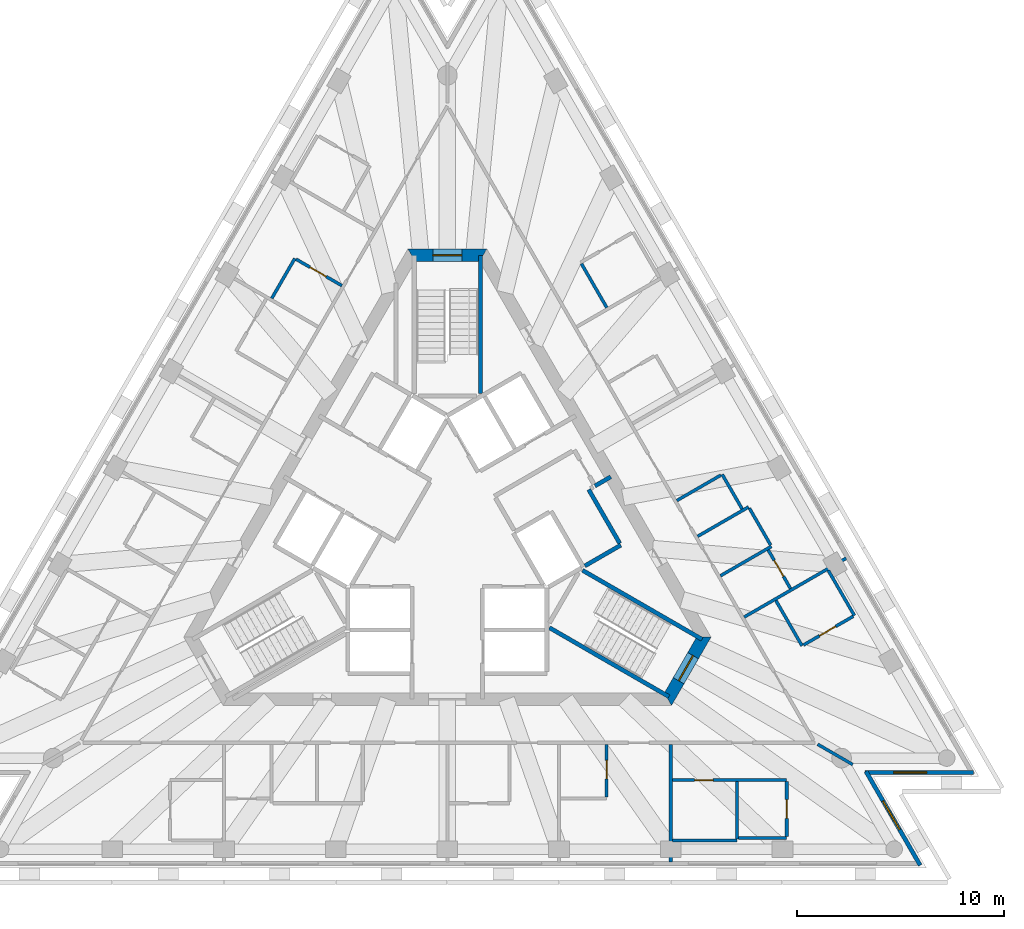
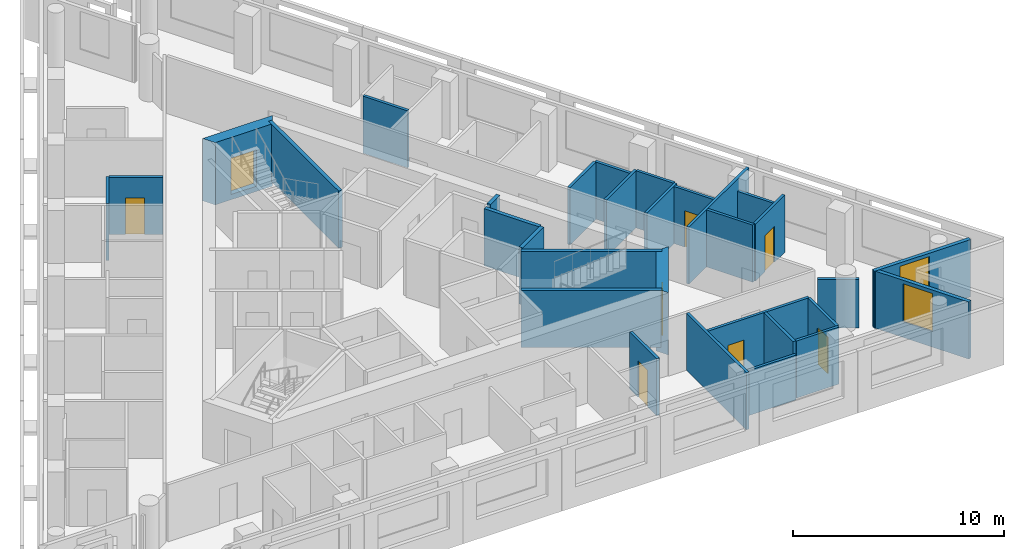
# One storey, part 6 of 10: 31 walls, 8 doors, 2 windows, 10 openings.
"""IFC4 building model written with IfcOpenShell, lengths in metres."""

from ifc_helpers import new_model, si_unit, direction, frame, frame_2d, origin, place, context, subcontext, project, spatial, polyline, rectangle, outline, extrude, material, layer, layer_set, layer_usage, type_object, element, fill, save


model = new_model("IFC4")

# Units and contexts
model_context = context("Model", 3, precision=1e-05, world=origin(), true_north=direction((0.0, 1.0)))
body_context = subcontext(model_context, "Body", "Model", "MODEL_VIEW")
ifc_project = project(units=[si_unit("LENGTHUNIT", "METRE"), si_unit("AREAUNIT", "SQUARE_METRE"), si_unit("VOLUMEUNIT", "CUBIC_METRE"), si_unit("PLANEANGLEUNIT", "RADIAN"), si_unit("MASSUNIT", "GRAM", prefix="KILO")], contexts=[model_context])

# Site, building, storey
site_placement = place(None, origin())
site = spatial("IfcSite", under=ifc_project, at=site_placement, CompositionType="ELEMENT")
building_placement = place(site_placement, origin())
building = spatial("IfcBuilding", under=site, at=building_placement, Name="Triada Interchange Tower", CompositionType="ELEMENT")
storey_placement = place(building_placement, frame((0.0, 0.0, 297.10009765625)))
storey = spatial("IfcBuildingStorey", under=building, at=storey_placement, Name="L70", CompositionType="ELEMENT", Elevation=297.10009765625)

# Walls
ifc_material_1 = material(Name="Concrete C30/37", Category="concrete")
ifc_layer_1 = layer(ifc_material_1, 0.199951171875)
ifc_layer_set_1 = layer_set([ifc_layer_1], Name="CORE WALL 200 EI 120")
wall_type_1 = type_object("IfcWallType", Name="CORE WALL 200 EI 120", PredefinedType="SOLIDWALL", material=ifc_layer_set_1)
wall_1_placement = place(storey_placement, frame((7.12890625, 2.153076171875, 0.0), z_axis=(0.0, 0.0, 1.0), x_axis=(0.866083962871, 0.499898558967, 0.0)))
element("IfcWall", 1, at=wall_1_placement, inside=storey, type_object=wall_type_1, Name="Wall L68 87", PredefinedType="SOLIDWALL", context=body_context, shape_type="SweptSolid", body=[
    extrude(rectangle(XDim=0.880126953125, YDim=0.199951171875, at=frame_2d((0.43994140625, 0.0))), origin(), (0.0, 0.0, 1.0), 3.2998046875),
])
ifc_layer_2 = layer(ifc_material_1, 0.199951171875)
ifc_layer_set_2 = layer_set([ifc_layer_2], Name="CORE WALL 200 EI 90")
wall_type_2 = type_object("IfcWallType", Name="CORE WALL 200 EI 90", PredefinedType="SOLIDWALL", material=ifc_layer_set_2)
wall_2_placement = place(storey_placement, frame((6.64208984375, -1.7080078125, 0.0), z_axis=(0.0, 0.0, 1.0), x_axis=(0.866043441391, 0.499968756647, 0.0)))
element("IfcWall", 2, at=wall_2_placement, inside=storey, type_object=wall_type_2, Name="Wall L68 109", PredefinedType="SOLIDWALL", context=body_context, shape_type="SweptSolid", body=[
    extrude(rectangle(XDim=2.002197265625, YDim=0.199951171875, at=frame_2d((1.0009765625, 0.0))), origin(), (0.0, 0.0, 1.0), 3.2998046875),
])
wall_3_placement = place(storey_placement, frame((6.825927734375, 1.97802734375, 0.0), z_axis=(0.0, 0.0, 1.0), x_axis=(0.499990139034, -0.866031096941, 0.0)))
element("IfcWall", 3, at=wall_3_placement, inside=storey, type_object=wall_type_2, Name="Wall L68 110", PredefinedType="SOLIDWALL", context=body_context, shape_type="SweptSolid", body=[
    extrude(rectangle(XDim=3.0, YDim=0.199951171875, at=frame_2d((1.5, 0.0))), origin(), (0.0, 0.0, 1.0), 3.2998046875),
])
ifc_layer_3 = layer(ifc_material_1, 0.199951171875)
ifc_layer_set_3 = layer_set([ifc_layer_3], Name="CORE WALL 200 REI 240")
wall_type_3 = type_object("IfcWallType", Name="CORE WALL 200 REI 240", PredefinedType="SOLIDWALL", material=ifc_layer_set_3)
for number, where, z_axis, x_axis, name in (
    (4, (1.60009765625, 6.614990234375, 0.0), (0.0, 0.0, 1.0), (0.0, 1.0, 0.0), "Wall L68 115"),
    (5, (4.928955078125, -4.693115234375, 0.0), (0.0, 0.0, 1.0), (0.866005022404, -0.500035299925, 0.0), "Wall L68 118"),
):
    element("IfcWall", number, at=place(storey_placement, frame(where, z_axis=z_axis, x_axis=x_axis)), inside=storey, type_object=wall_type_3, Name=name, PredefinedType="SOLIDWALL", context=body_context, shape_type="SweptSolid", body=[
        extrude(rectangle(XDim=6.6650390625, YDim=0.199951171875, at=frame_2d((3.33251953125, 0.0))), origin(), (0.0, 0.0, 1.0), 3.2998046875),
    ])
wall_4_placement = place(storey_placement, frame((6.529052734375, -1.922119140625, 0.0), z_axis=(0.0, 0.0, 1.0), x_axis=(0.866068467981, -0.499925403204, 0.0)))
element("IfcWall", 6, at=wall_4_placement, inside=storey, type_object=wall_type_3, Name="Wall L68 120", PredefinedType="SOLIDWALL", context=body_context, shape_type="SweptSolid", body=[
    extrude(rectangle(XDim=6.66455078125, YDim=0.199951171875, at=frame_2d((3.332275390625, 0.0))), origin(), (0.0, 0.0, 1.0), 3.2998046875),
])

# Wall, opening, door
ifc_material_2 = material(Name="Concrete C40/50", Category="concrete")
ifc_layer_4 = layer(ifc_material_2, 0.60009765625)
ifc_layer_set_4 = layer_set([ifc_layer_4], Name="Core wall D 600")
wall_type_4 = type_object("IfcWallType", Name="Core wall D 600", PredefinedType="SHEAR", material=ifc_layer_set_4)
wall_5_placement = place(storey_placement, frame((1.73193359375, 13.300048828125, -0.300048828125), z_axis=(0.0, 0.0, 1.0), x_axis=(-1.0, 0.0, 0.0)))
wall_5 = element("IfcWall", 7, at=wall_5_placement, inside=storey, type_object=wall_type_4, Name="Core wall WD01 L70", PredefinedType="SHEAR", context=body_context, shape_type="SweptSolid", body=[
    extrude(outline(polyline([(-0.173095703125, -0.300048828125), (1.73193359375, -0.300048828125), (3.636962890625, -0.300048828125), (3.291015625, 0.300048828125), (1.73193359375, 0.300048828125), (0.173095703125, 0.300048828125), (-0.173095703125, -0.300048828125)])), origin(), (0.0, 0.0, 1.0), 3.599853515625),
])
opening_1_placement = place(wall_5_placement, frame((1.031982421875, 0.0, 0.300048828125)))
opening_1 = element("IfcOpeningElement", 8, at=opening_1_placement, cuts=wall_5, Name="Opening D68-48", PredefinedType="OPENING", context=body_context, shape_type="SweptSolid", body=[
    extrude(rectangle(XDim=1.39990234375, YDim=2.10009765625, at=frame_2d((0.699951171875, 1.050048828125))), frame((0.0, 0.31005859375, 0.0), z_axis=(0.0, -1.0, 0.0), x_axis=(1.0, 0.0, 0.0)), (0.0, 0.0, 1.0), 0.6201171875),
])
ifc_material_3 = material(Name="Steel S235 door leaf", Category="steel")
door_type_1 = type_object("IfcDoorType", Name="STAIR DOOR 1400 EI2 90-C5S200", OperationType="DOUBLE_DOOR_SINGLE_SWING", PredefinedType="DOOR", material=ifc_material_3)
door_1_placement = place(opening_1_placement, origin())
door_1 = element("IfcDoor", 9, at=door_1_placement, inside=storey, type_object=door_type_1, Name="Door D68-48 L70", OperationType="DOUBLE_DOOR_SINGLE_SWING", OverallHeight=2.10009765625, OverallWidth=1.39990234375, PredefinedType="DOOR", context=body_context, shape_type="SweptSolid", body=[
    extrude(rectangle(XDim=1.39990234375, YDim=2.10009765625, at=frame_2d((0.699951171875, 1.050048828125))), frame((0.0, 0.02490234375, 0.0), z_axis=(0.0, -1.0, 0.0), x_axis=(1.0, 0.0, 0.0)), (0.0, 0.0, 1.0), 0.050048828125),
])
fill(opening_1, door_1)

wall_6_placement = place(storey_placement, frame((10.652099609375, -8.14990234375, -0.300048828125), z_axis=(0.0, 0.0, 1.0), x_axis=(0.49997462182, 0.866040055388, 0.0)))
wall_6 = element("IfcWall", 10, at=wall_6_placement, inside=storey, type_object=wall_type_4, Name="Core wall WD05 L70", PredefinedType="SHEAR", context=body_context, shape_type="SweptSolid", body=[
    extrude(outline(polyline([(-0.173095703125, -0.300048828125), (1.732421875, -0.300537109375), (3.637939453125, -0.301025390625), (3.291015625, 0.300048828125), (1.73193359375, 0.300048828125), (0.173095703125, 0.300048828125), (-0.173095703125, -0.300048828125)])), origin(), (0.0, 0.0, 1.0), 3.599853515625),
])
opening_2_placement = place(wall_6_placement, frame((1.031982421875, 0.0, 0.300048828125)))
opening_2 = element("IfcOpeningElement", 11, at=opening_2_placement, cuts=wall_6, Name="Opening D68-50", PredefinedType="OPENING", context=body_context, shape_type="SweptSolid", body=[
    extrude(rectangle(XDim=1.39990234375, YDim=2.10009765625, at=frame_2d((0.699951171875, 1.050048828125))), frame((0.0, 0.31005859375, 0.0), z_axis=(0.0, -1.0, 0.0), x_axis=(1.0, 0.0, 0.0)), (0.0, 0.0, 1.0), 0.62109375),
])
door_2_placement = place(opening_2_placement, origin())
door_2 = element("IfcDoor", 12, at=door_2_placement, inside=storey, type_object=door_type_1, Name="Door D68-50 L70", OperationType="DOUBLE_DOOR_SINGLE_SWING", OverallHeight=2.10009765625, OverallWidth=1.39990234375, PredefinedType="DOOR", context=body_context, shape_type="SweptSolid", body=[
    extrude(rectangle(XDim=1.39990234375, YDim=2.10009765625, at=frame_2d((0.699951171875, 1.050048828125))), frame((0.0, 0.02490234375, 0.0), z_axis=(0.0, -1.0, 0.0), x_axis=(1.0, 0.0, 0.0)), (0.0, 0.0, 1.0), 0.050048828125),
])
fill(opening_2, door_2)

# Wall, opening, window
ifc_material_4 = material(Name="Cement board")
ifc_layer_5 = layer(ifc_material_4, 0.02001953125, Name="Cement board cladding")
ifc_material_5 = material(Name="Sheathing board")
ifc_layer_6 = layer(ifc_material_5, 0.014892578125, Name="Sheathing board")
ifc_material_6 = material(Name="Mineral wool")
ifc_layer_7 = layer(ifc_material_6, 0.14990234375, Name="Mineral wool between steel studs")
ifc_material_7 = material(Name="Gypsum board")
ifc_layer_8 = layer(ifc_material_7, 0.014892578125, Name="Plasterboard lining")
ifc_layer_set_5 = layer_set([ifc_layer_5, ifc_layer_6, ifc_layer_7, ifc_layer_8], Name="External wall 200")
ifc_layer_usage = layer_usage(ifc_layer_set_5, "AXIS2", "POSITIVE", -0.10009765625)
wall_type_5 = type_object("IfcWallType", Name="External wall 200", PredefinedType="ELEMENTEDWALL", material=ifc_layer_set_5)
wall_7_placement = place(storey_placement, frame((22.8349609375, -16.16796875, 0.0), z_axis=(0.0, 0.0, 1.0), x_axis=(-0.499933584342, 0.866063745487, 0.0)))
wall_7 = element("IfcWall", 13, at=wall_7_placement, inside=storey, type_object=wall_type_5, material=ifc_layer_usage, Name="External wall L70 SE-1", PredefinedType="ELEMENTEDWALL", context=body_context, shape_type="SweptSolid", body=[
    extrude(rectangle(XDim=5.238525390625, YDim=0.199951171875, at=frame_2d((2.619140625, 0.0))), origin(), (0.0, 0.0, 1.0), 3.2998046875),
])
opening_3_placement = place(wall_7_placement, frame((1.989990234375, 0.0, 0.89990234375)))
opening_3 = element("IfcOpeningElement", 14, at=opening_3_placement, cuts=wall_7, Name="Opening WD19", PredefinedType="OPENING", context=body_context, shape_type="SweptSolid", body=[
    extrude(rectangle(XDim=1.60009765625, YDim=2.199951171875, at=frame_2d((0.800048828125, 1.10009765625))), frame((0.0, 0.10986328125, 0.0), z_axis=(0.0, -1.0, 0.0), x_axis=(1.0, 0.0, 0.0)), (0.0, 0.0, 1.0), 0.219970703125),
])
ifc_material_8 = material(Name="Double glazed aluminium window", Category="aluminium")
window_type = type_object("IfcWindowType", Name="Ribbon window D pocket", PartitioningType="SINGLE_PANEL", PredefinedType="WINDOW", material=ifc_material_8)
window_1_placement = place(opening_3_placement, origin())
window_1 = element("IfcWindow", 15, at=window_1_placement, inside=storey, type_object=window_type, Name="Window L70 SE-1 1", OverallHeight=2.199951171875, OverallWidth=1.60009765625, PartitioningType="SINGLE_PANEL", PredefinedType="WINDOW", context=body_context, shape_type="SweptSolid", body=[
    extrude(rectangle(XDim=1.60009765625, YDim=2.199951171875, at=frame_2d((0.800048828125, 1.10009765625))), frame((0.0, 0.030029296875, 0.0), z_axis=(0.0, -1.0, 0.0), x_axis=(1.0, 0.0, 0.0)), (0.0, 0.0, 1.0), 0.06005859375),
])
fill(opening_3, window_1)

wall_8_placement = place(storey_placement, frame((20.160888671875, -11.69189453125, 0.0), z_axis=(0.0, 0.0, 1.0), x_axis=(1.0, 0.0, 0.0)))
wall_8 = element("IfcWall", 16, at=wall_8_placement, inside=storey, type_object=wall_type_5, material=ifc_layer_usage, Name="External wall L70 SE-2", PredefinedType="ELEMENTEDWALL", context=body_context, shape_type="SweptSolid", body=[
    extrude(rectangle(XDim=5.239013671875, YDim=0.199951171875, at=frame_2d((2.61962890625, 0.0))), origin(), (0.0, 0.0, 1.0), 3.2998046875),
])
opening_4_placement = place(wall_8_placement, frame((1.389892578125, 0.0, 0.89990234375)))
opening_4 = element("IfcOpeningElement", 17, at=opening_4_placement, cuts=wall_8, Name="Opening WD20", PredefinedType="OPENING", context=body_context, shape_type="SweptSolid", body=[
    extrude(rectangle(XDim=1.60009765625, YDim=2.199951171875, at=frame_2d((0.800048828125, 1.10009765625))), frame((0.0, 0.10986328125, 0.0), z_axis=(0.0, -1.0, 0.0), x_axis=(1.0, 0.0, 0.0)), (0.0, 0.0, 1.0), 0.219970703125),
])
window_2_placement = place(opening_4_placement, origin())
window_2 = element("IfcWindow", 18, at=window_2_placement, inside=storey, type_object=window_type, Name="Window L70 SE-2 1", OverallHeight=2.199951171875, OverallWidth=1.60009765625, PartitioningType="SINGLE_PANEL", PredefinedType="WINDOW", context=body_context, shape_type="SweptSolid", body=[
    extrude(rectangle(XDim=1.60009765625, YDim=2.199951171875, at=frame_2d((0.800048828125, 1.10009765625))), frame((0.0, 0.030029296875, 0.0), z_axis=(0.0, -1.0, 0.0), x_axis=(1.0, 0.0, 0.0)), (0.0, 0.0, 1.0), 0.06005859375),
])
fill(opening_4, window_2)

# Walls
ifc_material_9 = material(Name="Gypsum board partition")
ifc_layer_9 = layer(ifc_material_9, 0.14990234375)
ifc_layer_set_6 = layer_set([ifc_layer_9], Name="PARTITION 150 EI 180")
wall_type_6 = type_object("IfcWallType", Name="PARTITION 150 EI 180", PredefinedType="PARTITIONING", material=ifc_layer_set_6)
wall_9_placement = place(storey_placement, frame((17.883056640625, -10.324951171875, 0.0), z_axis=(0.0, 0.0, 1.0), x_axis=(0.865973311606, -0.500090215447, 0.0)))
element("IfcWall", 19, at=wall_9_placement, inside=storey, type_object=wall_type_6, Name="Wall L68 8", PredefinedType="PARTITIONING", context=body_context, shape_type="SweptSolid", body=[
    extrude(rectangle(XDim=1.953857421875, YDim=0.14990234375, at=frame_2d((0.97705078125, 0.0))), origin(), (0.0, 0.0, 1.0), 2.7998046875),
])
wall_10_placement = place(storey_placement, frame((10.7890625, -16.010009765625, 0.0), z_axis=(0.0, 0.0, 1.0), x_axis=(0.0, 1.0, 0.0)))
element("IfcWall", 20, at=wall_10_placement, inside=storey, type_object=wall_type_6, Name="Wall L68 21", PredefinedType="PARTITIONING", context=body_context, shape_type="SweptSolid", body=[
    extrude(rectangle(XDim=5.68505859375, YDim=0.14990234375, at=frame_2d((2.842529296875, 0.0))), origin(), (0.0, 0.0, 1.0), 3.2998046875),
])
wall_11_placement = place(storey_placement, frame((13.27294921875, 2.7109375, 0.0), z_axis=(0.0, 0.0, 1.0), x_axis=(0.499671230855, -0.86621513555, 0.0)))
element("IfcWall", 21, at=wall_11_placement, inside=storey, type_object=wall_type_6, Name="Wall L68 22", PredefinedType="PARTITIONING", context=body_context, shape_type="SweptSolid", body=[
    extrude(rectangle(XDim=1.925537109375, YDim=0.14990234375, at=frame_2d((0.962890625, 0.0))), origin(), (0.0, 0.0, 1.0), 3.2998046875),
])
wall_12_placement = place(storey_placement, frame((11.0859375, 1.447998046875, 0.0), z_axis=(0.0, 0.0, 1.0), x_axis=(0.8660395779, 0.499975448907, 0.0)))
element("IfcWall", 22, at=wall_12_placement, inside=storey, type_object=wall_type_6, Name="Wall L68 23", PredefinedType="PARTITIONING", context=body_context, shape_type="SweptSolid", body=[
    extrude(rectangle(XDim=2.4501953125, YDim=0.14990234375, at=frame_2d((1.22509765625, 0.0))), origin(), (0.0, 0.0, 1.0), 3.2998046875),
])
wall_13_placement = place(storey_placement, frame((12.0859375, -0.283935546875, 0.0), z_axis=(0.0, 0.0, 1.0), x_axis=(0.865995540999, 0.500051720295, 0.0)))
element("IfcWall", 23, at=wall_13_placement, inside=storey, type_object=wall_type_6, Name="Wall L68 24", PredefinedType="PARTITIONING", context=body_context, shape_type="SweptSolid", body=[
    extrude(rectangle(XDim=2.845458984375, YDim=0.14990234375, at=frame_2d((1.4228515625, 0.0))), origin(), (0.0, 0.0, 1.0), 3.2998046875),
])
wall_14_placement = place(storey_placement, frame((13.18603515625, -2.18896484375, 0.0), z_axis=(0.0, 0.0, 1.0), x_axis=(0.866122712398, 0.499831418649, 0.0)))
element("IfcWall", 24, at=wall_14_placement, inside=storey, type_object=wall_type_6, Name="Wall L68 25", PredefinedType="PARTITIONING", context=body_context, shape_type="SweptSolid", body=[
    extrude(rectangle(XDim=2.8447265625, YDim=0.14990234375, at=frame_2d((1.42236328125, 0.0))), origin(), (0.0, 0.0, 1.0), 3.2998046875),
])
wall_15_placement = place(storey_placement, frame((14.3359375, -4.180908203125, 0.0), z_axis=(0.0, 0.0, 1.0), x_axis=(0.86606758311, 0.499926936147, 0.0)))
element("IfcWall", 25, at=wall_15_placement, inside=storey, type_object=wall_type_6, Name="Wall L68 26", PredefinedType="PARTITIONING", context=body_context, shape_type="SweptSolid", body=[
    extrude(rectangle(XDim=5.684326171875, YDim=0.14990234375, at=frame_2d((2.84228515625, 0.0))), origin(), (0.0, 0.0, 1.0), 3.2998046875),
])
wall_16_placement = place(storey_placement, frame((14.587890625, 1.073974609375, 0.0), z_axis=(0.0, 0.0, 1.0), x_axis=(0.499942325911, -0.866058699375, 0.0)))
element("IfcWall", 26, at=wall_16_placement, inside=storey, type_object=wall_type_6, Name="Wall L68 27", PredefinedType="PARTITIONING", context=body_context, shape_type="SweptSolid", body=[
    extrude(rectangle(XDim=2.050537109375, YDim=0.14990234375, at=frame_2d((1.025390625, 0.0))), origin(), (0.0, 0.0, 1.0), 3.2998046875),
])
ifc_layer_10 = layer(ifc_material_9, 0.14990234375)
ifc_layer_set_7 = layer_set([ifc_layer_10], Name="PARTITION 150 EI 90")
wall_type_7 = type_object("IfcWallType", Name="PARTITION 150 EI 90", PredefinedType="PARTITIONING", material=ifc_layer_set_7)
wall_17_placement = place(storey_placement, frame((-8.47998046875, 11.2119140625, 0.0), z_axis=(0.0, 0.0, 1.0), x_axis=(0.499833278392, 0.866121639155, 0.0)))
element("IfcWall", 27, at=wall_17_placement, inside=storey, type_object=wall_type_7, Name="Wall L68 39", PredefinedType="PARTITIONING", context=body_context, shape_type="SweptSolid", body=[
    extrude(rectangle(XDim=2.224853515625, YDim=0.14990234375, at=frame_2d((1.1123046875, 0.0))), origin(), (0.0, 0.0, 1.0), 3.2998046875),
])

# Wall, opening, door
wall_18_placement = place(storey_placement, frame((10.864013671875, -12.050048828125, 0.0), z_axis=(0.0, 0.0, 1.0), x_axis=(1.0, 0.0, 0.0)))
wall_18 = element("IfcWall", 28, at=wall_18_placement, inside=storey, type_object=wall_type_7, Name="Wall L68 42", PredefinedType="PARTITIONING", context=body_context, shape_type="SweptSolid", body=[
    extrude(rectangle(XDim=5.52490234375, YDim=0.14990234375, at=frame_2d((2.762451171875, 0.0))), origin(), (0.0, 0.0, 1.0), 3.2998046875),
])
opening_5_placement = place(wall_18_placement, frame((1.074951171875, 0.0, 0.0)))
opening_5 = element("IfcOpeningElement", 29, at=opening_5_placement, cuts=wall_18, Name="Opening D68-22", PredefinedType="OPENING", context=body_context, shape_type="SweptSolid", body=[
    extrude(rectangle(XDim=0.89990234375, YDim=2.10009765625, at=frame_2d((0.449951171875, 1.050048828125))), frame((0.0, 0.0849609375, 0.0), z_axis=(0.0, -1.0, 0.0), x_axis=(1.0, 0.0, 0.0)), (0.0, 0.0, 1.0), 0.169921875),
])
door_type_2 = type_object("IfcDoorType", Name="ROOM DOOR 900 EI2 45-C5S200", OperationType="NOTDEFINED", PredefinedType="DOOR", material=ifc_material_3)
door_3_placement = place(opening_5_placement, origin())
door_3 = element("IfcDoor", 30, at=door_3_placement, inside=storey, type_object=door_type_2, Name="Door D68-22 L70", OperationType="SINGLE_SWING_RIGHT", OverallHeight=2.10009765625, OverallWidth=0.89990234375, PredefinedType="DOOR", context=body_context, shape_type="SweptSolid", body=[
    extrude(rectangle(XDim=0.89990234375, YDim=2.10009765625, at=frame_2d((0.449951171875, 1.050048828125))), frame((0.0, 0.02490234375, 0.0), z_axis=(0.0, -1.0, 0.0), x_axis=(1.0, 0.0, 0.0)), (0.0, 0.0, 1.0), 0.050048828125),
])
fill(opening_5, door_3)

# Wall
wall_19_placement = place(storey_placement, frame((10.864013671875, -14.969970703125, 0.0), z_axis=(0.0, 0.0, 1.0), x_axis=(1.0, 0.0, 0.0)))
element("IfcWall", 31, at=wall_19_placement, inside=storey, type_object=wall_type_7, Name="Wall L68 45", PredefinedType="PARTITIONING", context=body_context, shape_type="SweptSolid", body=[
    extrude(rectangle(XDim=3.125, YDim=0.14990234375, at=frame_2d((1.5625, 0.0))), origin(), (0.0, 0.0, 1.0), 2.599853515625),
])

# Wall, opening, door
wall_20_placement = place(storey_placement, frame((7.694091796875, -12.875, 0.0), z_axis=(0.0, 0.0, 1.0), x_axis=(0.0, 1.0, 0.0)))
wall_20 = element("IfcWall", 32, at=wall_20_placement, inside=storey, type_object=wall_type_7, Name="Wall L68 52", PredefinedType="PARTITIONING", context=body_context, shape_type="SweptSolid", body=[
    extrude(rectangle(XDim=2.550048828125, YDim=0.14990234375, at=frame_2d((1.27490234375, 0.0))), origin(), (0.0, 0.0, 1.0), 3.2998046875),
])
opening_6_placement = place(wall_20_placement, frame((0.875, 0.0, 0.0)))
opening_6 = element("IfcOpeningElement", 33, at=opening_6_placement, cuts=wall_20, Name="Opening D68-20", PredefinedType="OPENING", context=body_context, shape_type="SweptSolid", body=[
    extrude(rectangle(XDim=0.89990234375, YDim=2.10009765625, at=frame_2d((0.449951171875, 1.050048828125))), frame((0.0, 0.0849609375, 0.0), z_axis=(0.0, -1.0, 0.0), x_axis=(1.0, 0.0, 0.0)), (0.0, 0.0, 1.0), 0.169921875),
])
door_4_placement = place(opening_6_placement, origin())
door_4 = element("IfcDoor", 34, at=door_4_placement, inside=storey, type_object=door_type_2, Name="Door D68-20 L70", OperationType="SINGLE_SWING_RIGHT", OverallHeight=2.10009765625, OverallWidth=0.89990234375, PredefinedType="DOOR", context=body_context, shape_type="SweptSolid", body=[
    extrude(rectangle(XDim=0.89990234375, YDim=2.10009765625, at=frame_2d((0.449951171875, 1.050048828125))), frame((0.0, 0.02490234375, 0.0), z_axis=(0.0, -1.0, 0.0), x_axis=(1.0, 0.0, 0.0)), (0.0, 0.0, 1.0), 0.050048828125),
])
fill(opening_6, door_4)

wall_21_placement = place(storey_placement, frame((15.4970703125, -0.94189453125, 0.0), z_axis=(0.0, 0.0, 1.0), x_axis=(0.499961633463, -0.866047553582, 0.0)))
wall_21 = element("IfcWall", 35, at=wall_21_placement, inside=storey, type_object=wall_type_7, Name="Wall L68 54", PredefinedType="PARTITIONING", context=body_context, shape_type="SweptSolid", body=[
    extrude(rectangle(XDim=2.150146484375, YDim=0.14990234375, at=frame_2d((1.0751953125, 0.0))), origin(), (0.0, 0.0, 1.0), 3.2998046875),
])
opening_7_placement = place(wall_21_placement, frame((0.574951171875, 0.0, 0.0)))
opening_7 = element("IfcOpeningElement", 36, at=opening_7_placement, cuts=wall_21, Name="Opening D68-27", PredefinedType="OPENING", context=body_context, shape_type="SweptSolid", body=[
    extrude(rectangle(XDim=0.89990234375, YDim=2.10009765625, at=frame_2d((0.449951171875, 1.050048828125))), frame((0.0, 0.0849609375, 0.0), z_axis=(0.0, -1.0, 0.0), x_axis=(1.0, 0.0, 0.0)), (0.0, 0.0, 1.0), 0.169921875),
])
door_5_placement = place(opening_7_placement, origin())
door_5 = element("IfcDoor", 37, at=door_5_placement, inside=storey, type_object=door_type_2, Name="Door D68-27 L70", OperationType="SINGLE_SWING_LEFT", OverallHeight=2.10009765625, OverallWidth=0.89990234375, PredefinedType="DOOR", context=body_context, shape_type="SweptSolid", body=[
    extrude(rectangle(XDim=0.89990234375, YDim=2.10009765625, at=frame_2d((0.449951171875, 1.050048828125))), frame((0.0, 0.02490234375, 0.0), z_axis=(0.0, -1.0, 0.0), x_axis=(1.0, 0.0, 0.0)), (0.0, 0.0, 1.0), 0.050048828125),
])
fill(opening_7, door_5)

# Walls
wall_22_placement = place(storey_placement, frame((18.39599609375, -1.924072265625, 0.0), z_axis=(0.0, 0.0, 1.0), x_axis=(0.500246986138, -0.865882759304, 0.0)))
element("IfcWall", 38, at=wall_22_placement, inside=storey, type_object=wall_type_7, Name="Wall L68 57", PredefinedType="PARTITIONING", context=body_context, shape_type="SweptSolid", body=[
    extrude(rectangle(XDim=2.524658203125, YDim=0.14990234375, at=frame_2d((1.26220703125, 0.0))), origin(), (0.0, 0.0, 1.0), 2.599853515625),
])
wall_23_placement = place(storey_placement, frame((6.47607421875, 12.884033203125, 0.0), z_axis=(0.0, 0.0, 1.0), x_axis=(0.499900713578, -0.866082719239, 0.0)))
element("IfcWall", 39, at=wall_23_placement, inside=storey, type_object=wall_type_7, Name="Wall L68 59", PredefinedType="PARTITIONING", context=body_context, shape_type="SweptSolid", body=[
    extrude(rectangle(XDim=2.4501953125, YDim=0.14990234375, at=frame_2d((1.22509765625, 0.0))), origin(), (0.0, 0.0, 1.0), 3.2998046875),
])
wall_24_placement = place(storey_placement, frame((15.867919921875, -3.384033203125, 0.0), z_axis=(0.0, 0.0, 1.0), x_axis=(0.499956887143, -0.866050293573, 0.0)))
element("IfcWall", 40, at=wall_24_placement, inside=storey, type_object=wall_type_7, Name="Wall L68 60", PredefinedType="PARTITIONING", context=body_context, shape_type="SweptSolid", body=[
    extrude(rectangle(XDim=2.524169921875, YDim=0.14990234375, at=frame_2d((1.26220703125, 0.0))), origin(), (0.0, 0.0, 1.0), 3.2998046875),
])
wall_25_placement = place(storey_placement, frame((13.989013671875, -14.89501953125, 0.0), z_axis=(0.0, 0.0, 1.0), x_axis=(0.0, 1.0, 0.0)))
element("IfcWall", 41, at=wall_25_placement, inside=storey, type_object=wall_type_7, Name="Wall L68 61", PredefinedType="PARTITIONING", context=body_context, shape_type="SweptSolid", body=[
    extrude(rectangle(XDim=2.77001953125, YDim=0.14990234375, at=frame_2d((1.385009765625, 0.0))), origin(), (0.0, 0.0, 1.0), 3.2998046875),
])
wall_26_placement = place(storey_placement, frame((14.06396484375, -14.85009765625, 0.0), z_axis=(0.0, 0.0, 1.0), x_axis=(1.0, 0.0, 0.0)))
element("IfcWall", 42, at=wall_26_placement, inside=storey, type_object=wall_type_7, Name="Wall L68 62", PredefinedType="PARTITIONING", context=body_context, shape_type="SweptSolid", body=[
    extrude(rectangle(XDim=2.324951171875, YDim=0.14990234375, at=frame_2d((1.16259765625, 0.0))), origin(), (0.0, 0.0, 1.0), 3.2998046875),
])

# Wall, opening, door
wall_27_placement = place(storey_placement, frame((16.388916015625, -14.77490234375, 0.0), z_axis=(0.0, 0.0, 1.0), x_axis=(0.0, 1.0, 0.0)))
wall_27 = element("IfcWall", 43, at=wall_27_placement, inside=storey, type_object=wall_type_7, Name="Wall L68 63", PredefinedType="PARTITIONING", context=body_context, shape_type="SweptSolid", body=[
    extrude(rectangle(XDim=2.64990234375, YDim=0.14990234375, at=frame_2d((1.324951171875, 0.0))), origin(), (0.0, 0.0, 1.0), 3.2998046875),
])
opening_8_placement = place(wall_27_placement, frame((0.875, 0.0, 0.0)))
opening_8 = element("IfcOpeningElement", 44, at=opening_8_placement, cuts=wall_27, Name="Opening D68-23", PredefinedType="OPENING", context=body_context, shape_type="SweptSolid", body=[
    extrude(rectangle(XDim=0.89990234375, YDim=2.10009765625, at=frame_2d((0.449951171875, 1.050048828125))), frame((0.0, 0.0849609375, 0.0), z_axis=(0.0, -1.0, 0.0), x_axis=(1.0, 0.0, 0.0)), (0.0, 0.0, 1.0), 0.169921875),
])
door_type_3 = type_object("IfcDoorType", Name="SERVICE DOOR 900 EI2 45-C5S200", OperationType="NOTDEFINED", PredefinedType="DOOR", material=ifc_material_3)
door_6_placement = place(opening_8_placement, origin())
door_6 = element("IfcDoor", 45, at=door_6_placement, inside=storey, type_object=door_type_3, Name="Door D68-23 L70", OperationType="SINGLE_SWING_LEFT", OverallHeight=2.10009765625, OverallWidth=0.89990234375, PredefinedType="DOOR", context=body_context, shape_type="SweptSolid", body=[
    extrude(rectangle(XDim=0.89990234375, YDim=2.10009765625, at=frame_2d((0.449951171875, 1.050048828125))), frame((0.0, 0.02490234375, 0.0), z_axis=(0.0, -1.0, 0.0), x_axis=(1.0, 0.0, 0.0)), (0.0, 0.0, 1.0), 0.050048828125),
])
fill(opening_8, door_6)

wall_28_placement = place(storey_placement, frame((17.195068359375, -5.532958984375, 0.0), z_axis=(0.0, 0.0, 1.0), x_axis=(0.866027073272, 0.499997108352, 0.0)))
wall_28 = element("IfcWall", 46, at=wall_28_placement, inside=storey, type_object=wall_type_7, Name="Wall L68 64", PredefinedType="PARTITIONING", context=body_context, shape_type="SweptSolid", body=[
    extrude(rectangle(XDim=2.77001953125, YDim=0.14990234375, at=frame_2d((1.385009765625, 0.0))), origin(), (0.0, 0.0, 1.0), 3.2998046875),
])
opening_9_placement = place(wall_28_placement, frame((0.89501953125, 0.0, 0.0)))
opening_9 = element("IfcOpeningElement", 47, at=opening_9_placement, cuts=wall_28, Name="Opening D68-25", PredefinedType="OPENING", context=body_context, shape_type="SweptSolid", body=[
    extrude(rectangle(XDim=0.89990234375, YDim=2.10009765625, at=frame_2d((0.449951171875, 1.050048828125))), frame((0.0, 0.0849609375, 0.0), z_axis=(0.0, -1.0, 0.0), x_axis=(1.0, 0.0, 0.0)), (0.0, 0.0, 1.0), 0.169921875),
])
door_7_placement = place(opening_9_placement, origin())
door_7 = element("IfcDoor", 48, at=door_7_placement, inside=storey, type_object=door_type_2, Name="Door D68-25 L70", OperationType="SINGLE_SWING_RIGHT", OverallHeight=2.10009765625, OverallWidth=0.89990234375, PredefinedType="DOOR", context=body_context, shape_type="SweptSolid", body=[
    extrude(rectangle(XDim=0.89990234375, YDim=2.10009765625, at=frame_2d((0.449951171875, 1.050048828125))), frame((0.0, 0.02490234375, 0.0), z_axis=(0.0, -1.0, 0.0), x_axis=(1.0, 0.0, 0.0)), (0.0, 0.0, 1.0), 0.050048828125),
])
fill(opening_9, door_7)

wall_29_placement = place(storey_placement, frame((-7.302978515625, 13.10107421875, 0.0), z_axis=(0.0, 0.0, 1.0), x_axis=(0.866061263272, -0.499937884402, 0.0)))
wall_29 = element("IfcWall", 49, at=wall_29_placement, inside=storey, type_object=wall_type_7, Name="Wall L68 65", PredefinedType="PARTITIONING", context=body_context, shape_type="SweptSolid", body=[
    extrude(rectangle(XDim=2.550537109375, YDim=0.14990234375, at=frame_2d((1.275390625, 0.0))), origin(), (0.0, 0.0, 1.0), 3.2998046875),
])
opening_10_placement = place(wall_29_placement, frame((0.77490234375, 0.0, 0.0)))
opening_10 = element("IfcOpeningElement", 50, at=opening_10_placement, cuts=wall_29, Name="Opening D68-37", PredefinedType="OPENING", context=body_context, shape_type="SweptSolid", body=[
    extrude(rectangle(XDim=0.89990234375, YDim=2.10009765625, at=frame_2d((0.449951171875, 1.050048828125))), frame((0.0, 0.0849609375, 0.0), z_axis=(0.0, -1.0, 0.0), x_axis=(1.0, 0.0, 0.0)), (0.0, 0.0, 1.0), 0.169921875),
])
door_8_placement = place(opening_10_placement, origin())
door_8 = element("IfcDoor", 51, at=door_8_placement, inside=storey, type_object=door_type_2, Name="Door D68-37 L70", OperationType="SINGLE_SWING_LEFT", OverallHeight=2.10009765625, OverallWidth=0.89990234375, PredefinedType="DOOR", context=body_context, shape_type="SweptSolid", body=[
    extrude(rectangle(XDim=0.89990234375, YDim=2.10009765625, at=frame_2d((0.449951171875, 1.050048828125))), frame((0.0, 0.02490234375, 0.0), z_axis=(0.0, -1.0, 0.0), x_axis=(1.0, 0.0, 0.0)), (0.0, 0.0, 1.0), 0.050048828125),
])
fill(opening_10, door_8)

save(model, "model.ifc")
